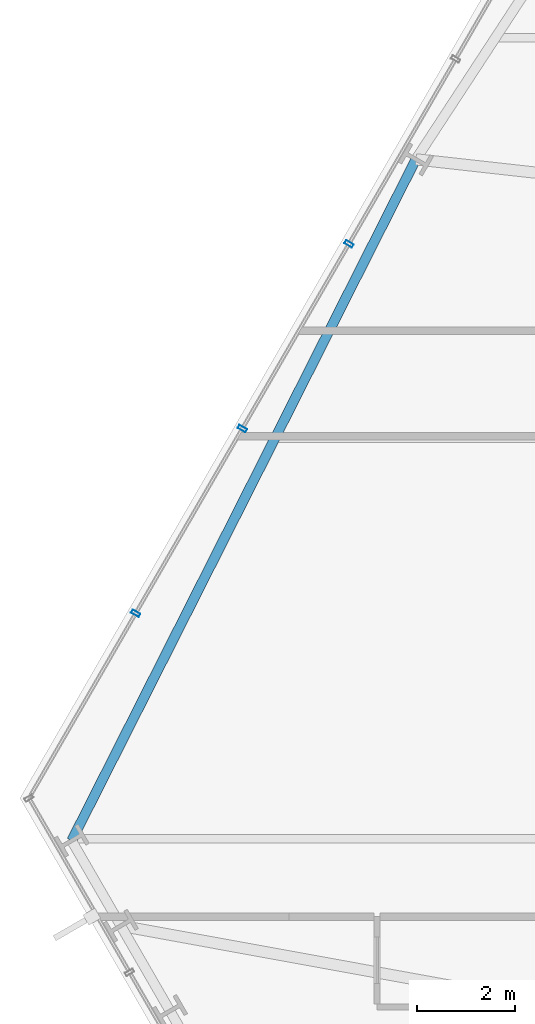
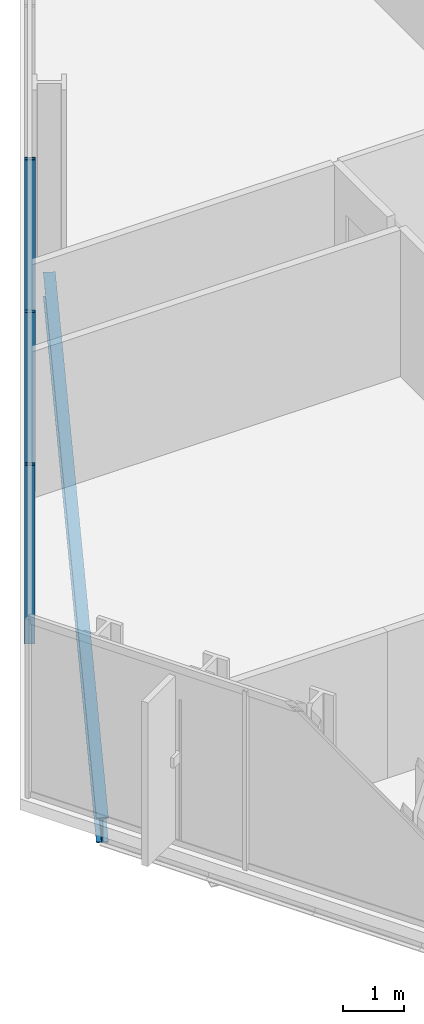
# One storey, part 10 of 33: 3 members, 1 beam, 1 element without a shape of its own.
"""IFC4 building model written with IfcOpenShell, lengths in metres."""

from ifc_helpers import new_model, si_unit, direction, frame, origin, origin_2d, place, context, subcontext, project, spatial, hollow_rectangle, i_section, extrude, material, layer, layer_set, material_profile, profile_set, type_object, element, aggregate, save


model = new_model("IFC4")

# Units and contexts
model_context = context("Model", 3, precision=1e-05, world=origin(), true_north=direction((0.0, 1.0)))
body_context = subcontext(model_context, "Body", "Model", "MODEL_VIEW")
ifc_project = project(units=[si_unit("LENGTHUNIT", "METRE"), si_unit("AREAUNIT", "SQUARE_METRE"), si_unit("VOLUMEUNIT", "CUBIC_METRE"), si_unit("PLANEANGLEUNIT", "RADIAN"), si_unit("MASSUNIT", "GRAM", prefix="KILO")], contexts=[model_context])

# Site, building, storey
site_placement = place(None, origin())
site = spatial("IfcSite", under=ifc_project, at=site_placement, CompositionType="ELEMENT")
building_placement = place(site_placement, origin())
building = spatial("IfcBuilding", under=site, at=building_placement, Name="Ndaravel Arena Tower", CompositionType="ELEMENT")
storey_placement = place(building_placement, frame((0.0, 0.0, 36.0)))
storey = spatial("IfcBuildingStorey", under=building, at=storey_placement, Name="L06", CompositionType="ELEMENT", Elevation=36.0)

# Beam
ifc_material_1 = material(Name="Steel S355", Category="steel")
ifc_material_profile_1 = material_profile(ifc_material_1, i_section(OverallWidth=0.199951171875, OverallDepth=0.5, WebThickness=0.01025390625, FlangeThickness=0.01611328125, FilletRadius=0.02099609375, at=origin_2d()), Name="IPE 500")
ifc_profile_set_1 = profile_set([ifc_material_profile_1], Name="Steel S355")
beam_type = type_object("IfcBeamType", Name="BM-SPAN-IPE500", PredefinedType="SPANDREL", material=ifc_profile_set_1)
beam_placement = place(storey_placement, frame((26.394287109375, 32.510009765625, -0.469970703125), z_axis=(-0.450914536682, -0.892567129469, 0.0), x_axis=(0.892567129469, -0.450914536682, 0.0)))
element("IfcBeam", 1, at=beam_placement, inside=storey, type_object=beam_type, Name="L06 Perimeter Spandrel Beam SP-19", PredefinedType="SPANDREL", context=body_context, shape_type="SweptSolid", body=[
    extrude(i_section(OverallWidth=0.199951171875, OverallDepth=0.5, WebThickness=0.01025390625, FlangeThickness=0.01611328125, FilletRadius=0.02099609375, at=origin_2d()), origin(), (0.0, 0.0, 1.0), 15.631103515625),
])

# Curtain wall, members
ifc_material_2 = material(Name="Aluminium", Category="aluminium")
ifc_layer = layer(ifc_material_2, 0.179931640625)
ifc_layer_set = layer_set([ifc_layer], Name="Aluminium")
curtain_wall_type = type_object("IfcCurtainWallType", Name="CW-SYS-03", PredefinedType="NOTDEFINED", material=ifc_layer_set)
curtain_wall_placement = place(storey_placement, origin())
curtain_wall = element("IfcCurtainWall", 2, at=curtain_wall_placement, inside=storey, type_object=curtain_wall_type, Name="L06 Faceted Crystal Curtain Wall CW-L06-E05", PredefinedType="NOTDEFINED")
ifc_material_3 = material(Name="Aluminium", Category="aluminium")
ifc_material_profile_2 = material_profile(ifc_material_3, hollow_rectangle(XDim=0.074951171875, YDim=0.179931640625, WallThickness=0.00390625, at=origin_2d()), Name="CW MULLION 75x180x4")
ifc_profile_set_2 = profile_set([ifc_material_profile_2], Name="Aluminium")
member_type = type_object("IfcMemberType", Name="MEM-CW-MUL180", PredefinedType="MULLION", material=ifc_profile_set_2)
member_1_placement = place(storey_placement, frame((25.025146484375, 30.778564453125, 0.0), z_axis=(0.0, 0.0, 1.0), x_axis=(-0.5, -0.866025403784, 0.0)))
member_1 = element("IfcMember", 3, at=member_1_placement, type_object=member_type, Name="CW-L06-E05 Mullion 04", PredefinedType="MULLION", context=body_context, shape_type="SweptSolid", body=[
    extrude(hollow_rectangle(XDim=0.074951171875, YDim=0.179931640625, WallThickness=0.00390625, at=origin_2d()), origin(), (0.0, 0.0, 1.0), 3.580078125),
])
member_2_placement = place(storey_placement, frame((22.841064453125, 26.99560546875, 0.0), z_axis=(0.0, 0.0, 1.0), x_axis=(-0.5, -0.866025403784, 0.0)))
member_2 = element("IfcMember", 4, at=member_2_placement, type_object=member_type, Name="CW-L06-E05 Mullion 05", PredefinedType="MULLION", context=body_context, shape_type="SweptSolid", body=[
    extrude(hollow_rectangle(XDim=0.074951171875, YDim=0.179931640625, WallThickness=0.00390625, at=origin_2d()), origin(), (0.0, 0.0, 1.0), 3.580078125),
])
member_3_placement = place(storey_placement, frame((20.656982421875, 23.212890625, 0.0), z_axis=(0.0, 0.0, 1.0), x_axis=(-0.5, -0.866025403784, 0.0)))
member_3 = element("IfcMember", 5, at=member_3_placement, type_object=member_type, Name="CW-L06-E05 Mullion 06", PredefinedType="MULLION", context=body_context, shape_type="SweptSolid", body=[
    extrude(hollow_rectangle(XDim=0.074951171875, YDim=0.179931640625, WallThickness=0.00390625, at=origin_2d()), origin(), (0.0, 0.0, 1.0), 3.580078125),
])
aggregate(curtain_wall, [member_1, member_2, member_3])

save(model, "model.ifc")
